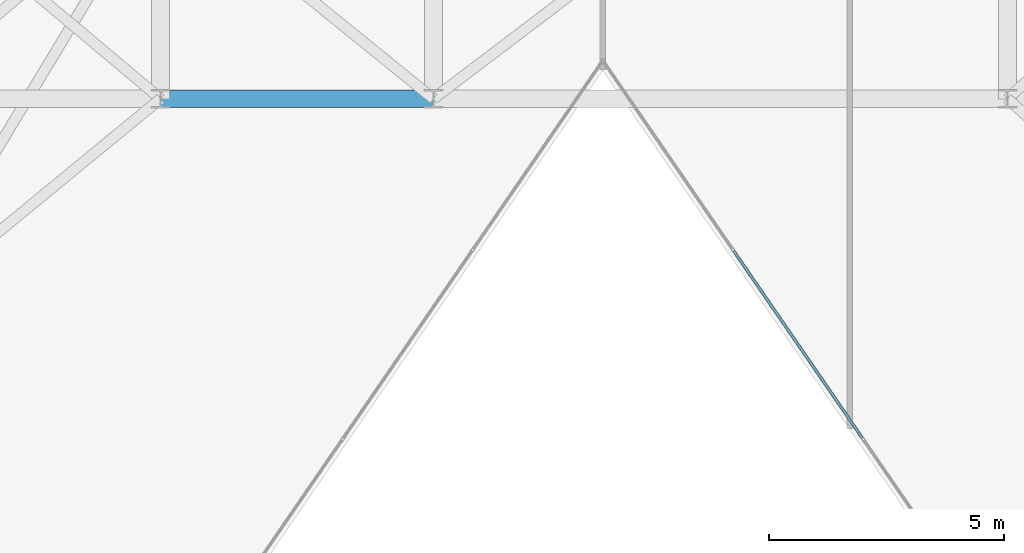
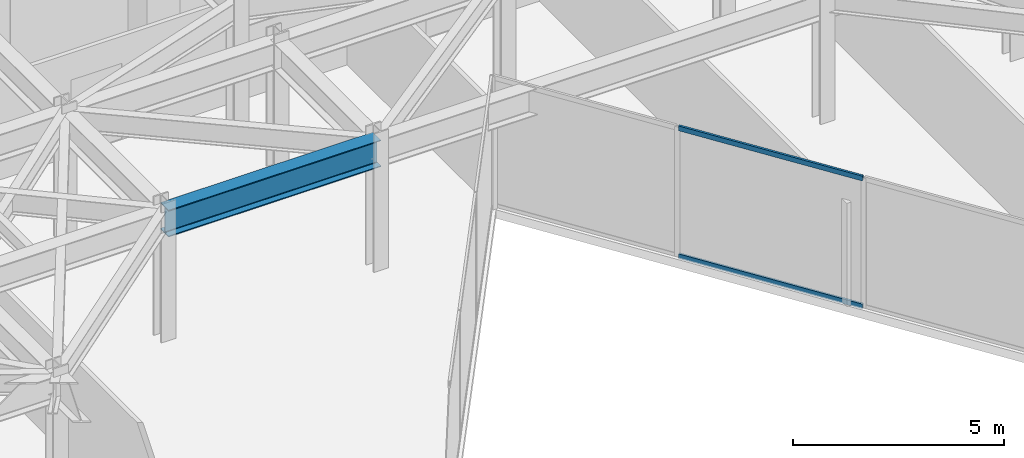
# One storey, part 5 of 21: 2 members, 1 beam, 1 element without a shape of its own.
"""IFC4 building model written with IfcOpenShell, lengths in metres."""

from ifc_helpers import new_model, si_unit, direction, frame, origin, origin_2d, place, context, subcontext, project, spatial, hollow_rectangle, i_section, extrude, material, layer, layer_set, material_profile, profile_set, type_object, element, aggregate, save


model = new_model("IFC4")

# Units and contexts
model_context = context("Model", 3, precision=1e-05, world=origin(), true_north=direction((0.0, 1.0)))
body_context = subcontext(model_context, "Body", "Model", "MODEL_VIEW")
ifc_project = project(units=[si_unit("LENGTHUNIT", "METRE"), si_unit("AREAUNIT", "SQUARE_METRE"), si_unit("VOLUMEUNIT", "CUBIC_METRE"), si_unit("PLANEANGLEUNIT", "RADIAN"), si_unit("MASSUNIT", "GRAM", prefix="KILO")], contexts=[model_context])

# Site, building, storey
site_placement = place(None, origin())
site = spatial("IfcSite", under=ifc_project, at=site_placement, CompositionType="ELEMENT")
building_placement = place(site_placement, origin())
building = spatial("IfcBuilding", under=site, at=building_placement, Name="Kravanh Interchange Tower", CompositionType="ELEMENT")
storey_placement = place(building_placement, frame((0.0, 0.0, 200.5)))
storey = spatial("IfcBuildingStorey", under=building, at=storey_placement, Name="L48", CompositionType="ELEMENT", Elevation=200.5)

# Curtain wall, members
ifc_material_1 = material(Name="Anodised Bronze Aluminium", Category="aluminium")
ifc_layer = layer(ifc_material_1, 0.179931640625)
ifc_layer_set = layer_set([ifc_layer], Name="Unitised Curtain Wall System CW-Z3 Upper Office")
curtain_wall_type = type_object("IfcCurtainWallType", Name="Unitised Curtain Wall System CW-Z3 Upper Office", PredefinedType="NOTDEFINED", material=ifc_layer_set)
curtain_wall_placement = place(storey_placement, origin())
curtain_wall = element("IfcCurtainWall", 1, at=curtain_wall_placement, inside=storey, type_object=curtain_wall_type, Name="L48 Unitised Curtain Wall CW-L48-03", PredefinedType="NOTDEFINED")
ifc_material_2 = material(Name="Anodised Bronze Aluminium", Category="aluminium")
ifc_material_profile_1 = material_profile(ifc_material_2, hollow_rectangle(XDim=0.06005859375, YDim=0.139892578125, WallThickness=0.00390625, at=origin_2d()), Name="ALU60X140X4")
ifc_profile_set_1 = profile_set([ifc_material_profile_1], Name="Anodised Bronze Aluminium")
member_type = type_object("IfcMemberType", Name="Curtain Wall Transom ALU60X140X4 Bronze", PredefinedType="USERDEFINED", material=ifc_profile_set_1)
member_1_placement = place(storey_placement, frame((47.714599609375, 19.590576171875, 0.030029296875), z_axis=(-0.566537417683, 0.824036015211, 0.0), x_axis=(-0.824036015211, -0.566537417683, 0.0)))
member_1 = element("IfcMember", 2, at=member_1_placement, type_object=member_type, Name="CW-Z3 transom 3.1", ObjectType="TRANSOM", PredefinedType="USERDEFINED", context=body_context, shape_type="SweptSolid", body=[
    extrude(hollow_rectangle(XDim=0.06005859375, YDim=0.139892578125, WallThickness=0.00390625, at=origin_2d()), origin(), (0.0, 0.0, 1.0), 4.822265625),
])
member_2_placement = place(storey_placement, frame((47.714599609375, 19.590576171875, 3.72509765625), z_axis=(-0.566537417683, 0.824036015211, 0.0), x_axis=(-0.824036015211, -0.566537417683, 0.0)))
member_2 = element("IfcMember", 3, at=member_2_placement, type_object=member_type, Name="CW-Z3 transom 3.2", ObjectType="TRANSOM", PredefinedType="USERDEFINED", context=body_context, shape_type="SweptSolid", body=[
    extrude(hollow_rectangle(XDim=0.06005859375, YDim=0.139892578125, WallThickness=0.00390625, at=origin_2d()), origin(), (0.0, 0.0, 1.0), 4.822265625),
])
aggregate(curtain_wall, [member_1, member_2])

# Beam
ifc_material_3 = material(Name="Structural Steel S355", Category="steel")
ifc_material_profile_2 = material_profile(ifc_material_3, i_section(OverallWidth=0.381103515625, OverallDepth=0.77294921875, WebThickness=0.0166015625, FlangeThickness=0.027099609375, FilletRadius=0.02490234375, at=origin_2d()), Name="W30X173")
ifc_profile_set_2 = profile_set([ifc_material_profile_2], Name="Structural Steel S355")
beam_type = type_object("IfcBeamType", Name="Floor Beam W30X173 Structural Steel S355", PredefinedType="BEAM", material=ifc_profile_set_2)
beam_placement = place(storey_placement, frame((32.800048828125, 26.800048828125, 3.368408203125), z_axis=(1.0, 0.0, 0.0), x_axis=(0.0, 1.0, 0.0)))
element("IfcBeam", 4, at=beam_placement, inside=storey, type_object=beam_type, Name="L48 Primary Floor Girder 42", PredefinedType="BEAM", context=body_context, shape_type="SweptSolid", body=[
    extrude(i_section(OverallWidth=0.381103515625, OverallDepth=0.77294921875, WebThickness=0.0166015625, FlangeThickness=0.027099609375, FilletRadius=0.02490234375, at=origin_2d()), origin(), (0.0, 0.0, 1.0), 5.800048828125),
])

save(model, "model.ifc")
